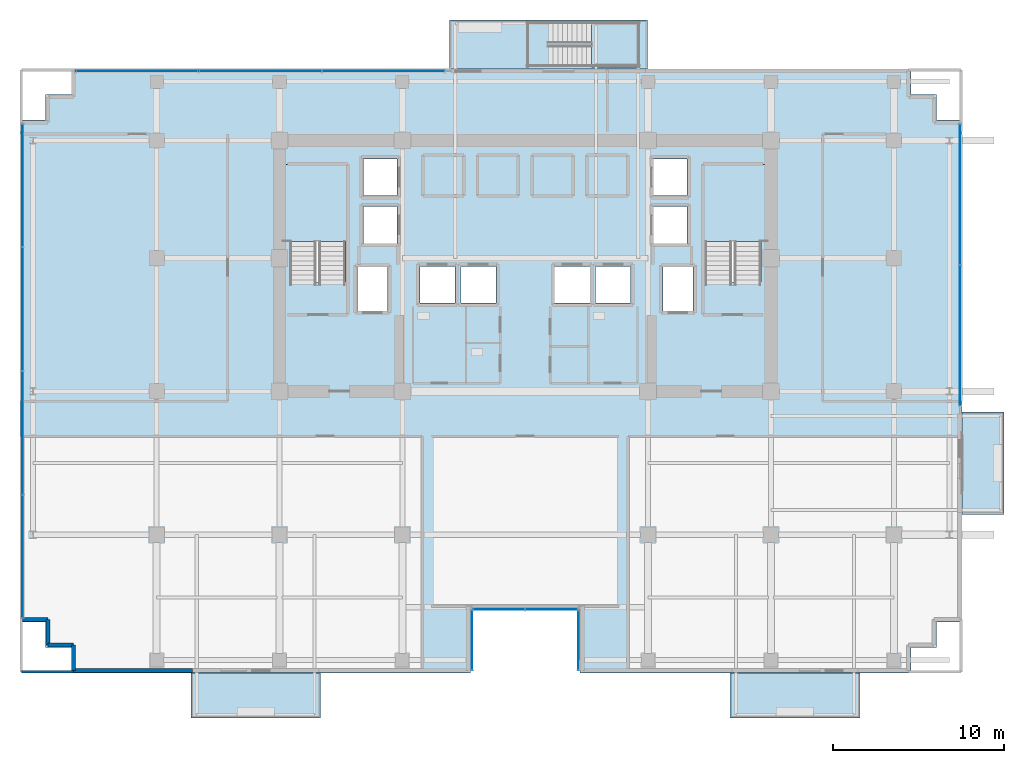
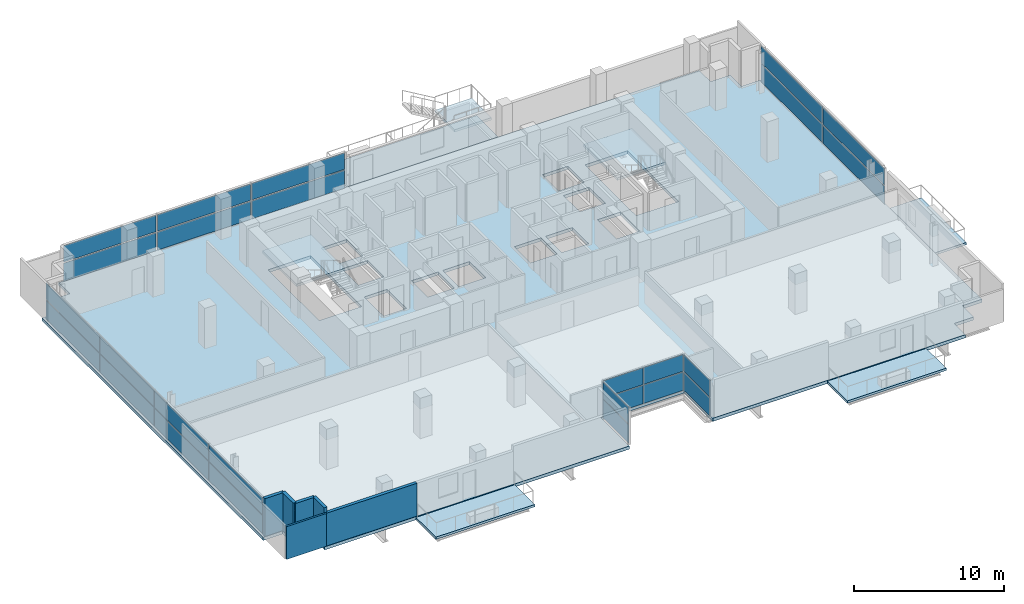
# One storey, part 18 of 27: 26 plates, 8 slabs, 6 walls, 9 elements without a shape of their own.
"""IFC4 building model written with IfcOpenShell, lengths in metres."""

from ifc_helpers import new_model, si_unit, direction, frame, frame_2d, origin, origin_2d, place, context, subcontext, project, spatial, polyline, rectangle, outline, extrude, source, transform, mapped, material, layer, layer_set, type_object, element, aggregate, save


model = new_model("IFC4")

# Units and contexts
model_context = context("Model", 3, precision=1e-05, world=origin(), true_north=direction((0.0, 1.0)))
body_context = subcontext(model_context, "Body", "Model", "MODEL_VIEW")
ifc_project = project(units=[si_unit("LENGTHUNIT", "METRE"), si_unit("AREAUNIT", "SQUARE_METRE"), si_unit("VOLUMEUNIT", "CUBIC_METRE"), si_unit("PLANEANGLEUNIT", "RADIAN"), si_unit("MASSUNIT", "GRAM", prefix="KILO")], contexts=[model_context])

# Site, building, storey
site_placement = place(None, origin())
site = spatial("IfcSite", under=ifc_project, at=site_placement, CompositionType="ELEMENT")
building_placement = place(site_placement, origin())
building = spatial("IfcBuilding", under=site, at=building_placement, Name="Zarnakvel Exchange Tower", CompositionType="ELEMENT")
storey_placement = place(building_placement, frame((0.0, 0.0, 86.800048828125)))
storey = spatial("IfcBuildingStorey", under=building, at=storey_placement, Name="L23", CompositionType="ELEMENT", Elevation=86.800048828125)

# Stair, slab
ifc_material_1 = material(Name="Concrete C40/50", Category="concrete")
stair_type_1 = type_object("IfcStairType", Name="STR-01", PredefinedType="HALF_TURN_STAIR", material=ifc_material_1)
stair_1_placement = place(storey_placement, origin())
stair_1 = element("IfcStair", 1, at=stair_1_placement, inside=storey, type_object=stair_type_1, Name="L23 Protected Core Exit Stair ST-01", PredefinedType="HALF_TURN_STAIR")
ifc_layer_1 = layer(ifc_material_1, 0.199951171875)
ifc_layer_set_1 = layer_set([ifc_layer_1], Name="Concrete C40/50")
slab_type_1 = type_object("IfcSlabType", Name="LDG-01", PredefinedType="LANDING", material=ifc_layer_set_1)
slab_1_placement = place(storey_placement, frame((0.0, 0.0, 1.449951171875)))
slab_1 = element("IfcSlab", 2, at=slab_1_placement, type_object=slab_type_1, Name="ST-01 landing 1", PredefinedType="LANDING", context=body_context, shape_type="SweptSolid", body=[
    extrude(outline(polyline([(-14.18994140625, 7.570068359375), (-10.4599609375, 7.570068359375), (-10.4599609375, 12.080078125), (-14.18994140625, 12.080078125), (-14.18994140625, 7.570068359375)])), origin(), (0.0, 0.0, 1.0), 0.199951171875),
])
aggregate(stair_1, [slab_1])

stair_2_placement = place(storey_placement, origin())
stair_2 = element("IfcStair", 3, at=stair_2_placement, inside=storey, type_object=stair_type_1, Name="L23 Protected Core Exit Stair ST-02", PredefinedType="HALF_TURN_STAIR")
slab_2_placement = place(storey_placement, frame((0.0, 0.0, 1.449951171875)))
slab_2 = element("IfcSlab", 4, at=slab_2_placement, type_object=slab_type_1, Name="ST-02 landing 1", PredefinedType="LANDING", context=body_context, shape_type="SweptSolid", body=[
    extrude(outline(polyline([(10.4599609375, 7.570068359375), (14.18994140625, 7.570068359375), (14.18994140625, 12.080078125), (10.4599609375, 12.080078125), (10.4599609375, 7.570068359375)])), origin(), (0.0, 0.0, 1.0), 0.199951171875),
])
aggregate(stair_2, [slab_2])

stair_type_2 = type_object("IfcStairType", Name="STR-05", PredefinedType="HALF_TURN_STAIR", material=ifc_material_1)
stair_3_placement = place(storey_placement, origin())
stair_3 = element("IfcStair", 5, at=stair_3_placement, inside=storey, type_object=stair_type_2, Name="L23 Spiral Sky-Terrace Connecting Stair ST-09", PredefinedType="HALF_TURN_STAIR")
slab_3_placement = place(storey_placement, frame((0.0, 0.0, 1.449951171875)))
slab_3 = element("IfcSlab", 6, at=slab_3_placement, type_object=slab_type_1, Name="ST-09 landing 1", PredefinedType="LANDING", context=body_context, shape_type="SweptSolid", body=[
    extrude(outline(polyline([(3.8701171875, 17.820068359375), (6.699951171875, 17.820068359375), (6.699951171875, 20.43994140625), (3.8701171875, 20.43994140625), (3.8701171875, 17.820068359375)])), origin(), (0.0, 0.0, 1.0), 0.199951171875),
])
aggregate(stair_3, [slab_3])

# Slabs
ifc_layer_2 = layer(ifc_material_1, 0.25)
ifc_layer_set_2 = layer_set([ifc_layer_2], Name="Concrete C40/50")
slab_type_2 = type_object("IfcSlabType", Name="SL-03", PredefinedType="FLOOR", material=ifc_layer_set_2)
slab_4_placement = place(storey_placement, frame((0.0, 0.0, -0.25)))
element("IfcSlab", 7, at=slab_4_placement, inside=storey, type_object=slab_type_2, Name="L23 Primary Structural Floor Slab", PredefinedType="FLOOR", context=body_context, shape_type="SweptSolid", body=[
    extrude(outline(polyline([(-29.60009765625, -14.699951171875), (-28.10009765625, -14.699951171875), (-28.10009765625, -16.199951171875), (-26.60009765625, -16.199951171875), (-26.60009765625, -17.699951171875), (-3.199951171875, -17.699951171875), (-3.199951171875, -13.89990234375), (3.199951171875, -13.89990234375), (3.199951171875, -17.699951171875), (22.60009765625, -17.699951171875), (22.60009765625, -16.199951171875), (24.10009765625, -16.199951171875), (24.10009765625, -14.699951171875), (25.60009765625, -14.699951171875), (25.60009765625, 14.699951171875), (24.10009765625, 14.699951171875), (24.10009765625, 16.199951171875), (22.60009765625, 16.199951171875), (22.60009765625, 17.699951171875), (-26.60009765625, 17.699951171875), (-26.60009765625, 16.199951171875), (-28.10009765625, 16.199951171875), (-28.10009765625, 14.699951171875), (-29.60009765625, 14.699951171875), (-29.60009765625, -14.699951171875)]), holes=[polyline([(-13.800048828125, 5.2099609375), (-10.5400390625, 5.2099609375), (-10.5400390625, 12.0), (-13.800048828125, 12.0), (-13.800048828125, 5.2099609375)]), polyline([(10.5400390625, 5.2099609375), (13.800048828125, 5.2099609375), (13.800048828125, 12.0), (10.5400390625, 12.0), (10.5400390625, 5.2099609375)]), polyline([(-9.830078125, 3.52001953125), (-8.070068359375, 3.52001953125), (-8.070068359375, 6.080078125), (-9.830078125, 6.080078125), (-9.830078125, 3.52001953125)]), polyline([(8.070068359375, 3.52001953125), (9.830078125, 3.52001953125), (9.830078125, 6.080078125), (8.070068359375, 6.080078125), (8.070068359375, 3.52001953125)]), polyline([(-6.179931640625, 3.969970703125), (-4.1201171875, 3.969970703125), (-4.1201171875, 6.1298828125), (-6.179931640625, 6.1298828125), (-6.179931640625, 3.969970703125)]), polyline([(-3.780029296875, 3.969970703125), (-1.719970703125, 3.969970703125), (-1.719970703125, 6.1298828125), (-3.780029296875, 6.1298828125), (-3.780029296875, 3.969970703125)]), polyline([(1.719970703125, 3.969970703125), (3.780029296875, 3.969970703125), (3.780029296875, 6.1298828125), (1.719970703125, 6.1298828125), (1.719970703125, 3.969970703125)]), polyline([(4.1201171875, 3.969970703125), (6.179931640625, 3.969970703125), (6.179931640625, 6.1298828125), (4.1201171875, 6.1298828125), (4.1201171875, 3.969970703125)]), polyline([(-9.47998046875, 7.469970703125), (-7.52001953125, 7.469970703125), (-7.52001953125, 9.6298828125), (-9.47998046875, 9.6298828125), (-9.47998046875, 7.469970703125)]), polyline([(-9.47998046875, 10.27001953125), (-7.52001953125, 10.27001953125), (-7.52001953125, 12.429931640625), (-9.47998046875, 12.429931640625), (-9.47998046875, 10.27001953125)]), polyline([(7.52001953125, 7.469970703125), (9.47998046875, 7.469970703125), (9.47998046875, 9.6298828125), (7.52001953125, 9.6298828125), (7.52001953125, 7.469970703125)]), polyline([(7.52001953125, 10.27001953125), (9.47998046875, 10.27001953125), (9.47998046875, 12.429931640625), (7.52001953125, 12.429931640625), (7.52001953125, 10.27001953125)])]), origin(), (0.0, 0.0, 1.0), 0.25),
])
ifc_layer_3 = layer(ifc_material_1, 0.25)
ifc_layer_set_3 = layer_set([ifc_layer_3], Name="Concrete C40/50")
slab_type_3 = type_object("IfcSlabType", Name="SL-07", PredefinedType="ROOF", material=ifc_layer_set_3)
slab_5_placement = place(storey_placement, frame((0.0, 0.0, -0.25)))
element("IfcSlab", 8, at=slab_5_placement, inside=storey, type_object=slab_type_3, Name="L23 Spiral Sky-Terrace Outdoor Slab (NE)", PredefinedType="ROOF", context=body_context, shape_type="SweptSolid", body=[
    extrude(outline(polyline([(-4.449951171875, 17.699951171875), (7.14990234375, 17.699951171875), (7.14990234375, 20.56005859375), (-4.449951171875, 20.56005859375), (-4.449951171875, 17.699951171875)])), origin(), (0.0, 0.0, 1.0), 0.25),
])
ifc_layer_4 = layer(ifc_material_1, 0.18994140625)
ifc_layer_set_4 = layer_set([ifc_layer_4], Name="Concrete C40/50")
slab_type_4 = type_object("IfcSlabType", Name="SL-08", PredefinedType="USERDEFINED", material=ifc_layer_set_4)
slab_6_placement = place(storey_placement, frame((0.0, 0.0, -0.25)))
element("IfcSlab", 9, at=slab_6_placement, inside=storey, type_object=slab_type_4, Name="L23 Planted Loggia Balcony Slab BAL-L23-SW", ObjectType="BALCONY", PredefinedType="USERDEFINED", context=body_context, shape_type="SweptSolid", body=[
    extrude(outline(polyline([(-19.60009765625, -20.35009765625), (-12.0, -20.35009765625), (-12.0, -17.699951171875), (-19.60009765625, -17.699951171875), (-19.60009765625, -20.35009765625)])), origin(), (0.0, 0.0, 1.0), 0.18994140625),
])
slab_7_placement = place(storey_placement, frame((0.0, 0.0, -0.25)))
element("IfcSlab", 10, at=slab_7_placement, inside=storey, type_object=slab_type_4, Name="L23 Planted Loggia Balcony Slab BAL-L23-SE", ObjectType="BALCONY", PredefinedType="USERDEFINED", context=body_context, shape_type="SweptSolid", body=[
    extrude(outline(polyline([(12.0, -20.35009765625), (19.60009765625, -20.35009765625), (19.60009765625, -17.699951171875), (12.0, -17.699951171875), (12.0, -20.35009765625)])), origin(), (0.0, 0.0, 1.0), 0.18994140625),
])
slab_8_placement = place(storey_placement, frame((0.0, 0.0, -0.25)))
element("IfcSlab", 11, at=slab_8_placement, inside=storey, type_object=slab_type_4, Name="L23 Planted Loggia Balcony Slab BAL-L23-E", ObjectType="BALCONY", PredefinedType="USERDEFINED", context=body_context, shape_type="SweptSolid", body=[
    extrude(outline(polyline([(25.60009765625, -8.39990234375), (28.050048828125, -8.39990234375), (28.050048828125, -2.39990234375), (25.60009765625, -2.39990234375), (25.60009765625, -8.39990234375)])), origin(), (0.0, 0.0, 1.0), 0.18994140625),
])

# Curtain wall, plate
ifc_material_2 = material(Name="Architectural Bronze Anodised Aluminium", Category="aluminium")
ifc_layer_5 = layer(ifc_material_2, 0.179931640625)
ifc_layer_set_5 = layer_set([ifc_layer_5], Name="Architectural Bronze Anodised Aluminium")
curtain_wall_type_1 = type_object("IfcCurtainWallType", Name="CW-05", PredefinedType="NOTDEFINED", material=ifc_layer_set_5)
curtain_wall_1_placement = place(storey_placement, origin())
curtain_wall_1 = element("IfcCurtainWall", 12, at=curtain_wall_1_placement, inside=storey, type_object=curtain_wall_type_1, Name="L23 Curtain Wall CW-L23-SLW (CW-05)", PredefinedType="NOTDEFINED")
ifc_material_3 = material(Name="Double Low-E Laminated Vision Glass", Category="glass")
ifc_layer_6 = layer(ifc_material_3, 0.02587890625)
ifc_layer_set_6 = layer_set([ifc_layer_6], Name="Double Low-E Laminated Vision Glass")
plate_type_1 = type_object("IfcPlateType", Name="CWP-05", PredefinedType="CURTAIN_PANEL", material=ifc_layer_set_6)
shared_shape_1 = source(origin(), body_context, "Body", "SweptSolid", [
    extrude(rectangle(XDim=3.4599609375, YDim=0.02587890625, at=origin_2d()), origin(), (0.0, 0.0, 1.0), 1.483642578125),
])
plate_1_placement = place(storey_placement, frame((-3.1201171875, -15.780029296875, 0.06982421875), z_axis=(0.0, 0.0, 1.0), x_axis=(0.0, 1.0, 0.0)))
plate_1 = element("IfcPlate", 13, at=plate_1_placement, type_object=plate_type_1, Name="CW-05 panel 1.1", PredefinedType="CURTAIN_PANEL", context=body_context, shape_type="MappedRepresentation", body=[
    mapped(shared_shape_1, transform((0.0, 0.0, 0.0), x_axis=(1.0, 0.0, 0.0), y_axis=(0.0, 1.0, 0.0), z_axis=(0.0, 0.0, 1.0), scale=1.0)),
])

curtain_wall_2_placement = place(storey_placement, origin())
curtain_wall_2 = element("IfcCurtainWall", 14, at=curtain_wall_2_placement, inside=storey, type_object=curtain_wall_type_1, Name="L23 Curtain Wall CW-L23-SLE (CW-05)", PredefinedType="NOTDEFINED")
plate_2_placement = place(storey_placement, frame((3.1201171875, -15.780029296875, 0.06982421875), z_axis=(0.0, 0.0, 1.0), x_axis=(0.0, -1.0, 0.0)))
plate_2 = element("IfcPlate", 15, at=plate_2_placement, type_object=plate_type_1, Name="CW-05 panel 1.1", PredefinedType="CURTAIN_PANEL", context=body_context, shape_type="MappedRepresentation", body=[
    mapped(shared_shape_1, transform((0.0, 0.0, 0.0), x_axis=(1.0, 0.0, 0.0), y_axis=(0.0, 1.0, 0.0), z_axis=(0.0, 0.0, 1.0), scale=1.0)),
])

# Plate
shared_shape_2 = source(origin(), body_context, "Body", "SweptSolid", [
    extrude(rectangle(XDim=3.4599609375, YDim=0.02587890625, at=origin_2d()), origin(), (0.0, 0.0, 1.0), 1.361328125),
])
plate_3_placement = place(storey_placement, frame((-3.1201171875, -15.780029296875, 1.62353515625), z_axis=(0.0, 0.0, 1.0), x_axis=(0.0, 1.0, 0.0)))
plate_3 = element("IfcPlate", 16, at=plate_3_placement, type_object=plate_type_1, Name="CW-05 panel 1.2", PredefinedType="CURTAIN_PANEL", context=body_context, shape_type="MappedRepresentation", body=[
    mapped(shared_shape_2, transform((0.0, 0.0, 0.0), x_axis=(1.0, 0.0, 0.0), y_axis=(0.0, 1.0, 0.0), z_axis=(0.0, 0.0, 1.0), scale=1.0)),
])

aggregate(curtain_wall_1, [plate_1, plate_3])

plate_4_placement = place(storey_placement, frame((3.1201171875, -15.780029296875, 1.62353515625), z_axis=(0.0, 0.0, 1.0), x_axis=(0.0, -1.0, 0.0)))
plate_4 = element("IfcPlate", 17, at=plate_4_placement, type_object=plate_type_1, Name="CW-05 panel 1.2", PredefinedType="CURTAIN_PANEL", context=body_context, shape_type="MappedRepresentation", body=[
    mapped(shared_shape_2, transform((0.0, 0.0, 0.0), x_axis=(1.0, 0.0, 0.0), y_axis=(0.0, 1.0, 0.0), z_axis=(0.0, 0.0, 1.0), scale=1.0)),
])

aggregate(curtain_wall_2, [plate_2, plate_4])

# Curtain wall, plates
curtain_wall_3_placement = place(storey_placement, origin())
curtain_wall_3 = element("IfcCurtainWall", 18, at=curtain_wall_3_placement, inside=storey, type_object=curtain_wall_type_1, Name="L23 Curtain Wall CW-L23-SLB (CW-05)", PredefinedType="NOTDEFINED")
shared_shape_3 = source(origin(), body_context, "Body", "SweptSolid", [
    extrude(rectangle(XDim=3.014892578125, YDim=0.02587890625, at=origin_2d()), origin(), (0.0, 0.0, 1.0), 1.483642578125),
])
plate_5_placement = place(storey_placement, frame((-1.54248046875, -13.97998046875, 0.06982421875), z_axis=(0.0, 0.0, 1.0), x_axis=(1.0, 0.0, 0.0)))
plate_5 = element("IfcPlate", 19, at=plate_5_placement, type_object=plate_type_1, Name="CW-05 panel 1.1", PredefinedType="CURTAIN_PANEL", context=body_context, shape_type="MappedRepresentation", body=[
    mapped(shared_shape_3, transform((0.0, 0.0, 0.0), x_axis=(1.0, 0.0, 0.0), y_axis=(0.0, 1.0, 0.0), z_axis=(0.0, 0.0, 1.0), scale=1.0)),
])
plate_6_placement = place(storey_placement, frame((1.54248046875, -13.97998046875, 0.06982421875), z_axis=(0.0, 0.0, 1.0), x_axis=(1.0, 0.0, 0.0)))
plate_6 = element("IfcPlate", 20, at=plate_6_placement, type_object=plate_type_1, Name="CW-05 panel 2.1", PredefinedType="CURTAIN_PANEL", context=body_context, shape_type="MappedRepresentation", body=[
    mapped(shared_shape_3, transform((0.0, 0.0, 0.0), x_axis=(1.0, 0.0, 0.0), y_axis=(0.0, 1.0, 0.0), z_axis=(0.0, 0.0, 1.0), scale=1.0)),
])
shared_shape_4 = source(origin(), body_context, "Body", "SweptSolid", [
    extrude(rectangle(XDim=3.014892578125, YDim=0.02587890625, at=origin_2d()), origin(), (0.0, 0.0, 1.0), 1.361328125),
])
plate_7_placement = place(storey_placement, frame((-1.54248046875, -13.97998046875, 1.62353515625), z_axis=(0.0, 0.0, 1.0), x_axis=(1.0, 0.0, 0.0)))
plate_7 = element("IfcPlate", 21, at=plate_7_placement, type_object=plate_type_1, Name="CW-05 panel 1.2", PredefinedType="CURTAIN_PANEL", context=body_context, shape_type="MappedRepresentation", body=[
    mapped(shared_shape_4, transform((0.0, 0.0, 0.0), x_axis=(1.0, 0.0, 0.0), y_axis=(0.0, 1.0, 0.0), z_axis=(0.0, 0.0, 1.0), scale=1.0)),
])
plate_8_placement = place(storey_placement, frame((1.54248046875, -13.97998046875, 1.62353515625), z_axis=(0.0, 0.0, 1.0), x_axis=(1.0, 0.0, 0.0)))
plate_8 = element("IfcPlate", 22, at=plate_8_placement, type_object=plate_type_1, Name="CW-05 panel 2.2", PredefinedType="CURTAIN_PANEL", context=body_context, shape_type="MappedRepresentation", body=[
    mapped(shared_shape_4, transform((0.0, 0.0, 0.0), x_axis=(1.0, 0.0, 0.0), y_axis=(0.0, 1.0, 0.0), z_axis=(0.0, 0.0, 1.0), scale=1.0)),
])
aggregate(curtain_wall_3, [plate_5, plate_7, plate_6, plate_8])

ifc_layer_7 = layer(ifc_material_2, 0.239990234375)
ifc_layer_set_7 = layer_set([ifc_layer_7], Name="Architectural Bronze Anodised Aluminium")
curtain_wall_type_2 = type_object("IfcCurtainWallType", Name="CW-02", PredefinedType="NOTDEFINED", material=ifc_layer_set_7)
curtain_wall_4_placement = place(storey_placement, origin())
curtain_wall_4 = element("IfcCurtainWall", 23, at=curtain_wall_4_placement, inside=storey, type_object=curtain_wall_type_2, Name="L23 Curtain Wall CW-L23-N1 (CW-02)", PredefinedType="NOTDEFINED")
ifc_layer_8 = layer(ifc_material_3, 0.031982421875)
ifc_layer_set_8 = layer_set([ifc_layer_8], Name="Double Low-E Laminated Vision Glass")
plate_type_2 = type_object("IfcPlateType", Name="CWP-02", PredefinedType="CURTAIN_PANEL", material=ifc_layer_set_8)
shared_shape_5 = source(origin(), body_context, "Body", "SweptSolid", [
    extrude(rectangle(XDim=7.114990234375, YDim=0.031982421875, at=origin_2d()), origin(), (0.0, 0.0, 1.0), 1.461181640625),
])
plate_9_placement = place(storey_placement, frame((-22.75244140625, 17.56005859375, 0.0849609375), z_axis=(0.0, 0.0, 1.0), x_axis=(1.0, 0.0, 0.0)))
plate_9 = element("IfcPlate", 24, at=plate_9_placement, type_object=plate_type_2, Name="CW-02 panel 1.1", PredefinedType="CURTAIN_PANEL", context=body_context, shape_type="MappedRepresentation", body=[
    mapped(shared_shape_5, transform((0.0, 0.0, 0.0), x_axis=(1.0, 0.0, 0.0), y_axis=(0.0, 1.0, 0.0), z_axis=(0.0, 0.0, 1.0), scale=1.0)),
])
plate_10_placement = place(storey_placement, frame((-8.297607421875, 17.56005859375, 0.0849609375), z_axis=(0.0, 0.0, 1.0), x_axis=(1.0, 0.0, 0.0)))
plate_10 = element("IfcPlate", 25, at=plate_10_placement, type_object=plate_type_2, Name="CW-02 panel 3.1", PredefinedType="CURTAIN_PANEL", context=body_context, shape_type="MappedRepresentation", body=[
    mapped(shared_shape_5, transform((0.0, 0.0, 0.0), x_axis=(1.0, 0.0, 0.0), y_axis=(0.0, 1.0, 0.0), z_axis=(0.0, 0.0, 1.0), scale=1.0)),
])
shared_shape_6 = source(origin(), body_context, "Body", "SweptSolid", [
    extrude(rectangle(XDim=7.114990234375, YDim=0.031982421875, at=origin_2d()), origin(), (0.0, 0.0, 1.0), 1.3388671875),
])
plate_11_placement = place(storey_placement, frame((-22.75244140625, 17.56005859375, 1.631103515625), z_axis=(0.0, 0.0, 1.0), x_axis=(1.0, 0.0, 0.0)))
plate_11 = element("IfcPlate", 26, at=plate_11_placement, type_object=plate_type_2, Name="CW-02 panel 1.2", PredefinedType="CURTAIN_PANEL", context=body_context, shape_type="MappedRepresentation", body=[
    mapped(shared_shape_6, transform((0.0, 0.0, 0.0), x_axis=(1.0, 0.0, 0.0), y_axis=(0.0, 1.0, 0.0), z_axis=(0.0, 0.0, 1.0), scale=1.0)),
])
plate_12_placement = place(storey_placement, frame((-8.297607421875, 17.56005859375, 1.631103515625), z_axis=(0.0, 0.0, 1.0), x_axis=(1.0, 0.0, 0.0)))
plate_12 = element("IfcPlate", 27, at=plate_12_placement, type_object=plate_type_2, Name="CW-02 panel 3.2", PredefinedType="CURTAIN_PANEL", context=body_context, shape_type="MappedRepresentation", body=[
    mapped(shared_shape_6, transform((0.0, 0.0, 0.0), x_axis=(1.0, 0.0, 0.0), y_axis=(0.0, 1.0, 0.0), z_axis=(0.0, 0.0, 1.0), scale=1.0)),
])
shared_shape_7 = source(origin(), body_context, "Body", "SweptSolid", [
    extrude(rectangle(XDim=7.159912109375, YDim=0.031982421875, at=origin_2d()), origin(), (0.0, 0.0, 1.0), 1.461181640625),
])
plate_13_placement = place(storey_placement, frame((-15.52490234375, 17.56005859375, 0.0849609375), z_axis=(0.0, 0.0, 1.0), x_axis=(1.0, 0.0, 0.0)))
plate_13 = element("IfcPlate", 28, at=plate_13_placement, type_object=plate_type_2, Name="CW-02 panel 2.1", PredefinedType="CURTAIN_PANEL", context=body_context, shape_type="MappedRepresentation", body=[
    mapped(shared_shape_7, transform((0.0, 0.0, 0.0), x_axis=(1.0, 0.0, 0.0), y_axis=(0.0, 1.0, 0.0), z_axis=(0.0, 0.0, 1.0), scale=1.0)),
])
shared_shape_8 = source(origin(), body_context, "Body", "SweptSolid", [
    extrude(rectangle(XDim=7.159912109375, YDim=0.031982421875, at=origin_2d()), origin(), (0.0, 0.0, 1.0), 1.3388671875),
])
plate_14_placement = place(storey_placement, frame((-15.52490234375, 17.56005859375, 1.631103515625), z_axis=(0.0, 0.0, 1.0), x_axis=(1.0, 0.0, 0.0)))
plate_14 = element("IfcPlate", 29, at=plate_14_placement, type_object=plate_type_2, Name="CW-02 panel 2.2", PredefinedType="CURTAIN_PANEL", context=body_context, shape_type="MappedRepresentation", body=[
    mapped(shared_shape_8, transform((0.0, 0.0, 0.0), x_axis=(1.0, 0.0, 0.0), y_axis=(0.0, 1.0, 0.0), z_axis=(0.0, 0.0, 1.0), scale=1.0)),
])
aggregate(curtain_wall_4, [plate_9, plate_11, plate_13, plate_14, plate_10, plate_12])

ifc_layer_9 = layer(ifc_material_2, 0.199951171875)
ifc_layer_set_9 = layer_set([ifc_layer_9], Name="Architectural Bronze Anodised Aluminium")
curtain_wall_type_3 = type_object("IfcCurtainWallType", Name="CW-04", PredefinedType="NOTDEFINED", material=ifc_layer_set_9)
curtain_wall_5_placement = place(storey_placement, origin())
curtain_wall_5 = element("IfcCurtainWall", 30, at=curtain_wall_5_placement, inside=storey, type_object=curtain_wall_type_3, Name="L23 Curtain Wall CW-L23-W1 (CW-04)", PredefinedType="NOTDEFINED")
ifc_layer_10 = layer(ifc_material_3, 0.028076171875)
ifc_layer_set_10 = layer_set([ifc_layer_10], Name="Double Low-E Laminated Vision Glass")
plate_type_3 = type_object("IfcPlateType", Name="CWP-04", PredefinedType="CURTAIN_PANEL", material=ifc_layer_set_10)
shared_shape_9 = source(origin(), body_context, "Body", "SweptSolid", [
    extrude(rectangle(XDim=7.137451171875, YDim=0.028076171875, at=origin_2d()), origin(), (0.0, 0.0, 1.0), 1.47607421875),
])
plate_15_placement = place(storey_placement, frame((-29.4599609375, -10.856201171875, 0.074951171875), z_axis=(0.0, 0.0, 1.0), x_axis=(0.0, 1.0, 0.0)))
plate_15 = element("IfcPlate", 31, at=plate_15_placement, type_object=plate_type_3, Name="CW-04 panel 1.1", PredefinedType="CURTAIN_PANEL", context=body_context, shape_type="MappedRepresentation", body=[
    mapped(shared_shape_9, transform((0.0, 0.0, 0.0), x_axis=(1.0, 0.0, 0.0), y_axis=(0.0, 1.0, 0.0), z_axis=(0.0, 0.0, 1.0), scale=1.0)),
])
plate_16_placement = place(storey_placement, frame((-29.4599609375, 10.856201171875, 0.074951171875), z_axis=(0.0, 0.0, 1.0), x_axis=(0.0, 1.0, 0.0)))
plate_16 = element("IfcPlate", 32, at=plate_16_placement, type_object=plate_type_3, Name="CW-04 panel 4.1", PredefinedType="CURTAIN_PANEL", context=body_context, shape_type="MappedRepresentation", body=[
    mapped(shared_shape_9, transform((0.0, 0.0, 0.0), x_axis=(1.0, 0.0, 0.0), y_axis=(0.0, 1.0, 0.0), z_axis=(0.0, 0.0, 1.0), scale=1.0)),
])
shared_shape_10 = source(origin(), body_context, "Body", "SweptSolid", [
    extrude(rectangle(XDim=7.137451171875, YDim=0.028076171875, at=origin_2d()), origin(), (0.0, 0.0, 1.0), 1.35400390625),
])
plate_17_placement = place(storey_placement, frame((-29.4599609375, -10.856201171875, 1.6259765625), z_axis=(0.0, 0.0, 1.0), x_axis=(0.0, 1.0, 0.0)))
plate_17 = element("IfcPlate", 33, at=plate_17_placement, type_object=plate_type_3, Name="CW-04 panel 1.2", PredefinedType="CURTAIN_PANEL", context=body_context, shape_type="MappedRepresentation", body=[
    mapped(shared_shape_10, transform((0.0, 0.0, 0.0), x_axis=(1.0, 0.0, 0.0), y_axis=(0.0, 1.0, 0.0), z_axis=(0.0, 0.0, 1.0), scale=1.0)),
])
plate_18_placement = place(storey_placement, frame((-29.4599609375, 10.856201171875, 1.6259765625), z_axis=(0.0, 0.0, 1.0), x_axis=(0.0, 1.0, 0.0)))
plate_18 = element("IfcPlate", 34, at=plate_18_placement, type_object=plate_type_3, Name="CW-04 panel 4.2", PredefinedType="CURTAIN_PANEL", context=body_context, shape_type="MappedRepresentation", body=[
    mapped(shared_shape_10, transform((0.0, 0.0, 0.0), x_axis=(1.0, 0.0, 0.0), y_axis=(0.0, 1.0, 0.0), z_axis=(0.0, 0.0, 1.0), scale=1.0)),
])
shared_shape_11 = source(origin(), body_context, "Body", "SweptSolid", [
    extrude(rectangle(XDim=7.175048828125, YDim=0.028076171875, at=origin_2d()), origin(), (0.0, 0.0, 1.0), 1.47607421875),
])
plate_19_placement = place(storey_placement, frame((-29.4599609375, -3.625, 0.074951171875), z_axis=(0.0, 0.0, 1.0), x_axis=(0.0, 1.0, 0.0)))
plate_19 = element("IfcPlate", 35, at=plate_19_placement, type_object=plate_type_3, Name="CW-04 panel 2.1", PredefinedType="CURTAIN_PANEL", context=body_context, shape_type="MappedRepresentation", body=[
    mapped(shared_shape_11, transform((0.0, 0.0, 0.0), x_axis=(1.0, 0.0, 0.0), y_axis=(0.0, 1.0, 0.0), z_axis=(0.0, 0.0, 1.0), scale=1.0)),
])
plate_20_placement = place(storey_placement, frame((-29.4599609375, 3.625, 0.074951171875), z_axis=(0.0, 0.0, 1.0), x_axis=(0.0, 1.0, 0.0)))
plate_20 = element("IfcPlate", 36, at=plate_20_placement, type_object=plate_type_3, Name="CW-04 panel 3.1", PredefinedType="CURTAIN_PANEL", context=body_context, shape_type="MappedRepresentation", body=[
    mapped(shared_shape_11, transform((0.0, 0.0, 0.0), x_axis=(1.0, 0.0, 0.0), y_axis=(0.0, 1.0, 0.0), z_axis=(0.0, 0.0, 1.0), scale=1.0)),
])
shared_shape_12 = source(origin(), body_context, "Body", "SweptSolid", [
    extrude(rectangle(XDim=7.175048828125, YDim=0.028076171875, at=origin_2d()), origin(), (0.0, 0.0, 1.0), 1.35400390625),
])
plate_21_placement = place(storey_placement, frame((-29.4599609375, -3.625, 1.6259765625), z_axis=(0.0, 0.0, 1.0), x_axis=(0.0, 1.0, 0.0)))
plate_21 = element("IfcPlate", 37, at=plate_21_placement, type_object=plate_type_3, Name="CW-04 panel 2.2", PredefinedType="CURTAIN_PANEL", context=body_context, shape_type="MappedRepresentation", body=[
    mapped(shared_shape_12, transform((0.0, 0.0, 0.0), x_axis=(1.0, 0.0, 0.0), y_axis=(0.0, 1.0, 0.0), z_axis=(0.0, 0.0, 1.0), scale=1.0)),
])
plate_22_placement = place(storey_placement, frame((-29.4599609375, 3.625, 1.6259765625), z_axis=(0.0, 0.0, 1.0), x_axis=(0.0, 1.0, 0.0)))
plate_22 = element("IfcPlate", 38, at=plate_22_placement, type_object=plate_type_3, Name="CW-04 panel 3.2", PredefinedType="CURTAIN_PANEL", context=body_context, shape_type="MappedRepresentation", body=[
    mapped(shared_shape_12, transform((0.0, 0.0, 0.0), x_axis=(1.0, 0.0, 0.0), y_axis=(0.0, 1.0, 0.0), z_axis=(0.0, 0.0, 1.0), scale=1.0)),
])
aggregate(curtain_wall_5, [plate_15, plate_17, plate_19, plate_21, plate_20, plate_22, plate_16, plate_18])

curtain_wall_6_placement = place(storey_placement, origin())
curtain_wall_6 = element("IfcCurtainWall", 39, at=curtain_wall_6_placement, inside=storey, type_object=curtain_wall_type_3, Name="L23 Curtain Wall CW-L23-EN (CW-04)", PredefinedType="NOTDEFINED")
shared_shape_13 = source(origin(), body_context, "Body", "SweptSolid", [
    extrude(rectangle(XDim=8.1875, YDim=0.028076171875, at=origin_2d()), origin(), (0.0, 0.0, 1.0), 1.47607421875),
])
plate_23_placement = place(storey_placement, frame((25.4599609375, 2.06884765625, 0.074951171875), z_axis=(0.0, 0.0, 1.0), x_axis=(0.0, 1.0, 0.0)))
plate_23 = element("IfcPlate", 40, at=plate_23_placement, type_object=plate_type_3, Name="CW-04 panel 1.1", PredefinedType="CURTAIN_PANEL", context=body_context, shape_type="MappedRepresentation", body=[
    mapped(shared_shape_13, transform((0.0, 0.0, 0.0), x_axis=(1.0, 0.0, 0.0), y_axis=(0.0, 1.0, 0.0), z_axis=(0.0, 0.0, 1.0), scale=1.0)),
])
plate_24_placement = place(storey_placement, frame((25.4599609375, 10.331298828125, 0.074951171875), z_axis=(0.0, 0.0, 1.0), x_axis=(0.0, 1.0, 0.0)))
plate_24 = element("IfcPlate", 41, at=plate_24_placement, type_object=plate_type_3, Name="CW-04 panel 2.1", PredefinedType="CURTAIN_PANEL", context=body_context, shape_type="MappedRepresentation", body=[
    mapped(shared_shape_13, transform((0.0, 0.0, 0.0), x_axis=(1.0, 0.0, 0.0), y_axis=(0.0, 1.0, 0.0), z_axis=(0.0, 0.0, 1.0), scale=1.0)),
])
shared_shape_14 = source(origin(), body_context, "Body", "SweptSolid", [
    extrude(rectangle(XDim=8.1875, YDim=0.028076171875, at=origin_2d()), origin(), (0.0, 0.0, 1.0), 1.35400390625),
])
plate_25_placement = place(storey_placement, frame((25.4599609375, 2.06884765625, 1.6259765625), z_axis=(0.0, 0.0, 1.0), x_axis=(0.0, 1.0, 0.0)))
plate_25 = element("IfcPlate", 42, at=plate_25_placement, type_object=plate_type_3, Name="CW-04 panel 1.2", PredefinedType="CURTAIN_PANEL", context=body_context, shape_type="MappedRepresentation", body=[
    mapped(shared_shape_14, transform((0.0, 0.0, 0.0), x_axis=(1.0, 0.0, 0.0), y_axis=(0.0, 1.0, 0.0), z_axis=(0.0, 0.0, 1.0), scale=1.0)),
])
plate_26_placement = place(storey_placement, frame((25.4599609375, 10.331298828125, 1.6259765625), z_axis=(0.0, 0.0, 1.0), x_axis=(0.0, 1.0, 0.0)))
plate_26 = element("IfcPlate", 43, at=plate_26_placement, type_object=plate_type_3, Name="CW-04 panel 2.2", PredefinedType="CURTAIN_PANEL", context=body_context, shape_type="MappedRepresentation", body=[
    mapped(shared_shape_14, transform((0.0, 0.0, 0.0), x_axis=(1.0, 0.0, 0.0), y_axis=(0.0, 1.0, 0.0), z_axis=(0.0, 0.0, 1.0), scale=1.0)),
])
aggregate(curtain_wall_6, [plate_23, plate_25, plate_24, plate_26])

# Walls
ifc_material_4 = material(Name="Precast concrete C40/50", Category="concrete")
ifc_layer_11 = layer(ifc_material_4, 0.239990234375)
ifc_layer_set_11 = layer_set([ifc_layer_11], Name="Precast concrete C40/50")
wall_type_1 = type_object("IfcWallType", Name="EW-02", PredefinedType="SOLIDWALL", material=ifc_layer_set_11)
wall_1_placement = place(storey_placement, frame((-26.4599609375, -17.56005859375, 0.0), z_axis=(0.0, 0.0, 1.0), x_axis=(1.0, 0.0, 0.0)))
element("IfcWall", 44, at=wall_1_placement, inside=storey, type_object=wall_type_1, Name="L23 Exterior Precast Spandrel Wall EWC-L23-24 (EW-02)", PredefinedType="SOLIDWALL", context=body_context, shape_type="SweptSolid", body=[
    extrude(rectangle(XDim=6.9599609375, YDim=0.239990234375, at=frame_2d((3.47998046875, 0.0))), origin(), (0.0, 0.0, 1.0), 2.6650390625),
])
for number, where, z_axis, x_axis, name in (
    (45, (-26.4599609375, -16.06005859375, 0.0), (0.0, 0.0, 1.0), (0.0, -1.0, 0.0), "L23 Exterior Precast Spandrel Wall EWC-L23-25 (EW-02)"),
    (46, (-27.9599609375, -16.06005859375, 0.0), (0.0, 0.0, 1.0), (1.0, 0.0, 0.0), "L23 Exterior Precast Spandrel Wall EWC-L23-26 (EW-02)"),
    (47, (-27.9599609375, -14.56005859375, 0.0), (0.0, 0.0, 1.0), (0.0, -1.0, 0.0), "L23 Exterior Precast Spandrel Wall EWC-L23-27 (EW-02)"),
    (48, (-29.4599609375, -14.56005859375, 0.0), (0.0, 0.0, 1.0), (1.0, 0.0, 0.0), "L23 Exterior Precast Spandrel Wall EWC-L23-28 (EW-02)"),
):
    element("IfcWall", number, at=place(storey_placement, frame(where, z_axis=z_axis, x_axis=x_axis)), inside=storey, type_object=wall_type_1, Name=name, PredefinedType="SOLIDWALL", context=body_context, shape_type="SweptSolid", body=[
        extrude(rectangle(XDim=1.5, YDim=0.239990234375, at=frame_2d((0.75, 0.0))), origin(), (0.0, 0.0, 1.0), 3.074951171875),
    ])
ifc_material_5 = material(Name="Fire-Rated Gypsum Stud Partition", Category="gypsum")
ifc_layer_12 = layer(ifc_material_5, 0.14990234375)
ifc_layer_set_12 = layer_set([ifc_layer_12], Name="Fire-Rated Gypsum Stud Partition")
wall_type_2 = type_object("IfcWallType", Name="PT-01", PredefinedType="PARTITIONING", material=ifc_layer_set_12)
wall_2_placement = place(storey_placement, frame((-26.4599609375, -17.6298828125, 0.0), z_axis=(0.0, 0.0, 1.0), x_axis=(-1.0, 0.0, 0.0)))
element("IfcWall", 49, at=wall_2_placement, inside=storey, type_object=wall_type_2, Name="L23 Partition Wall PWALL-L23-026 (PT-01)", PredefinedType="PARTITIONING", context=body_context, shape_type="SweptSolid", body=[
    extrude(rectangle(XDim=3.070068359375, YDim=0.14990234375, at=frame_2d((1.53515625, 0.0))), origin(), (0.0, 0.0, 1.0), 2.6650390625),
])

save(model, "model.ifc")
